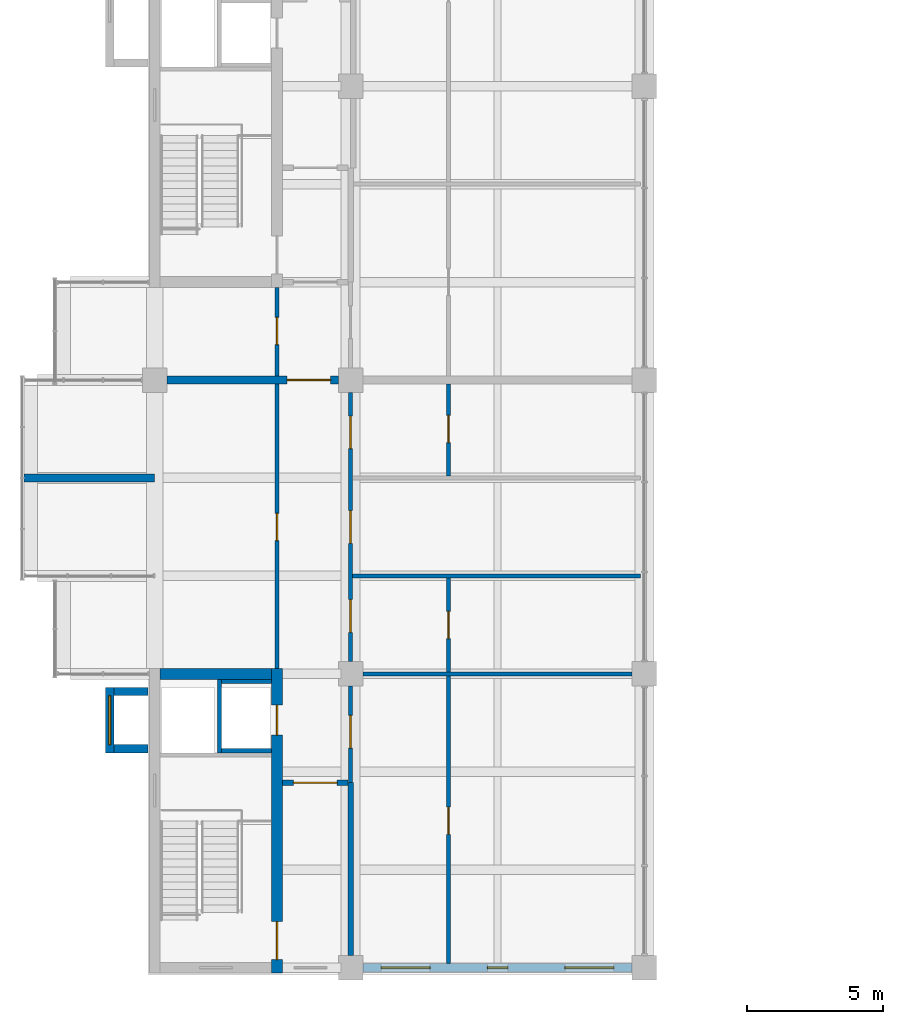
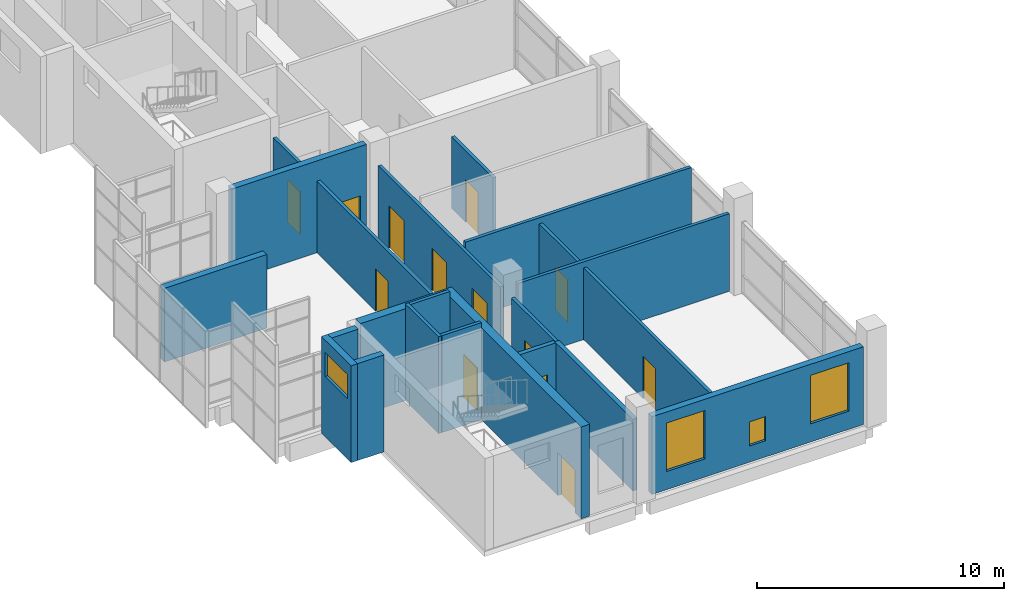
# One storey, part 15 of 23: 22 walls, 13 doors, 4 windows, 17 openings.
"""IFC4 building model written with IfcOpenShell, lengths in metres."""

from ifc_helpers import new_model, si_unit, direction, frame, frame_2d, origin, place, context, subcontext, project, spatial, rectangle, extrude, material, layer, layer_set, type_object, element, fill, save


model = new_model("IFC4")

# Units and contexts
model_context = context("Model", 3, precision=1e-05, world=origin(), true_north=direction((0.0, 1.0)))
body_context = subcontext(model_context, "Body", "Model", "MODEL_VIEW")
ifc_project = project(units=[si_unit("LENGTHUNIT", "METRE"), si_unit("AREAUNIT", "SQUARE_METRE"), si_unit("VOLUMEUNIT", "CUBIC_METRE"), si_unit("PLANEANGLEUNIT", "RADIAN"), si_unit("MASSUNIT", "GRAM", prefix="KILO")], contexts=[model_context])

# Site, building, storey
site_placement = place(None, origin())
site = spatial("IfcSite", under=ifc_project, at=site_placement, CompositionType="ELEMENT")
building_placement = place(site_placement, origin())
building = spatial("IfcBuilding", under=site, at=building_placement, Name="Basin Gate Institute", CompositionType="ELEMENT")
storey_placement = place(building_placement, frame((0.0, 0.0, 46.199951171875)))
storey = spatial("IfcBuildingStorey", under=building, at=storey_placement, Name="L09", CompositionType="ELEMENT", Elevation=46.199951171875)

# Wall
ifc_material_1 = material(Name="Aluminium-faced insulated panel wall", Category="aluminium")
ifc_layer_1 = layer(ifc_material_1, 0.300048828125)
ifc_layer_set_1 = layer_set([ifc_layer_1], Name="Capsule side wall EW2 EI 120")
wall_type_1 = type_object("IfcWallType", Name="Capsule side wall EW2 EI 120", PredefinedType="STANDARD", material=ifc_layer_set_1)
wall_1_placement = place(storey_placement, frame((56.39990234375, 53.10009765625, 0.0), z_axis=(0.0, 0.0, 1.0), x_axis=(1.0, 0.0, 0.0)))
element("IfcWall", 1, at=wall_1_placement, inside=storey, type_object=wall_type_1, material=ifc_layer_set_1, Name="Capsule side wall W wing L09 line 6", PredefinedType="STANDARD", context=body_context, shape_type="SweptSolid", body=[
    extrude(rectangle(XDim=4.800048828125, YDim=0.300048828125, at=frame_2d((2.39990234375, 0.0))), origin(), (0.0, 0.0, 1.0), 3.650146484375),
])

# Wall, opening, door
ifc_material_2 = material(Name="Fire-rated masonry", Category="masonry")
ifc_layer_2 = layer(ifc_material_2, 0.199951171875)
ifc_layer_set_2 = layer_set([ifc_layer_2], Name="Enclosure wall PW2 200 EI 60")
wall_type_2 = type_object("IfcWallType", Name="Enclosure wall PW2 200 EI 60", PredefinedType="PARTITIONING", material=ifc_layer_set_2)
wall_2_placement = place(storey_placement, frame((65.89990234375, 41.89990234375, 0.0), z_axis=(0.0, 0.0, 1.0), x_axis=(1.0, 0.0, 0.0)))
wall_2 = element("IfcWall", 2, at=wall_2_placement, inside=storey, type_object=wall_type_2, material=ifc_layer_set_2, Name="Smoke lobby enclosure wall PW2 L09", PredefinedType="PARTITIONING", context=body_context, shape_type="SweptSolid", body=[
    extrude(rectangle(XDim=2.400146484375, YDim=0.199951171875, at=frame_2d((1.2001953125, 0.0))), origin(), (0.0, 0.0, 1.0), 3.550048828125),
])
opening_1_placement = place(wall_2_placement, frame((0.39990234375, 0.0, 0.0)))
opening_1 = element("IfcOpeningElement", 3, at=opening_1_placement, cuts=wall_2, Name="Opening DR434", PredefinedType="OPENING", context=body_context, shape_type="SweptSolid", body=[
    extrude(rectangle(XDim=1.60009765625, YDim=2.10009765625, at=frame_2d((0.800048828125, 1.050048828125))), frame((0.0, 0.10986328125, 0.0), z_axis=(0.0, -1.0, 0.0), x_axis=(1.0, 0.0, 0.0)), (0.0, 0.0, 1.0), 0.219970703125),
])
ifc_material_3 = material(Name="Steel fire door", Category="steel")
door_type_1 = type_object("IfcDoorType", Name="FD60 Smoke lobby door pair D8", OperationType="DOUBLE_DOOR_SINGLE_SWING", PredefinedType="DOOR", material=ifc_material_3)
door_1_placement = place(opening_1_placement, frame((1.60009765625, 0.0, 0.0), z_axis=(0.0, 0.0, 1.0), x_axis=(-1.0, 0.0, 0.0)))
door_1 = element("IfcDoor", 4, at=door_1_placement, inside=storey, type_object=door_type_1, material=ifc_material_3, Name="Smoke lobby door SS1 L09", OperationType="DOUBLE_DOOR_SINGLE_SWING", OverallHeight=2.10009765625, OverallWidth=1.60009765625, PredefinedType="DOOR", context=body_context, shape_type="SweptSolid", body=[
    extrude(rectangle(XDim=1.60009765625, YDim=2.10009765625, at=frame_2d((0.800048828125, 1.050048828125))), frame((0.0, 0.02490234375, 0.0), z_axis=(0.0, -1.0, 0.0), x_axis=(1.0, 0.0, 0.0)), (0.0, 0.0, 1.0), 0.050048828125),
])
fill(opening_1, door_1)

# Wall
wall_3_placement = place(storey_placement, frame((68.39990234375, 35.550048828125, 0.0), z_axis=(0.0, 0.0, 1.0), x_axis=(0.0, 1.0, 0.0)))
element("IfcWall", 5, at=wall_3_placement, inside=storey, type_object=wall_type_2, material=ifc_layer_set_2, Name="Smoke lobby enclosure wall PW2 L09", PredefinedType="PARTITIONING", context=body_context, shape_type="SweptSolid", body=[
    extrude(rectangle(XDim=6.349853515625, YDim=0.199951171875, at=frame_2d((3.1748046875, 0.0))), origin(), (0.0, 0.0, 1.0), 3.550048828125),
])

# Wall, openings, windows
ifc_material_4 = material(Name="Aluminium-faced insulated panel wall", Category="aluminium")
ifc_layer_3 = layer(ifc_material_4, 0.300048828125)
ifc_layer_set_3 = layer_set([ifc_layer_3], Name="External wall EW1 EI 120")
wall_type_3 = type_object("IfcWallType", Name="External wall EW1 EI 120", PredefinedType="STANDARD", material=ifc_layer_set_3)
wall_4_placement = place(storey_placement, frame((68.85009765625, 35.10009765625, 0.0), z_axis=(0.0, 0.0, 1.0), x_axis=(1.0, 0.0, 0.0)))
wall_4 = element("IfcWall", 6, at=wall_4_placement, inside=storey, type_object=wall_type_3, material=ifc_layer_set_3, Name="External end wall W wing south L09 2", PredefinedType="STANDARD", context=body_context, shape_type="SweptSolid", body=[
    extrude(rectangle(XDim=9.89990234375, YDim=0.300048828125, at=frame_2d((4.949951171875, 0.0))), origin(), (0.0, 0.0, 1.0), 3.85009765625),
])
opening_2_placement = place(wall_4_placement, frame((0.675048828125, 0.0, 0.89990234375)))
opening_2 = element("IfcOpeningElement", 7, at=opening_2_placement, cuts=wall_4, Name="Opening WN1", PredefinedType="OPENING", context=body_context, shape_type="SweptSolid", body=[
    extrude(rectangle(XDim=1.800048828125, YDim=2.39990234375, at=frame_2d((0.89990234375, 1.199951171875))), frame((0.0, 0.16015625, 0.0), z_axis=(0.0, -1.0, 0.0), x_axis=(1.0, 0.0, 0.0)), (0.0, 0.0, 1.0), 0.320068359375),
])
opening_3_placement = place(wall_4_placement, frame((4.574951171875, 0.0, 0.800048828125)))
opening_3 = element("IfcOpeningElement", 8, at=opening_3_placement, cuts=wall_4, Name="Opening WN3", PredefinedType="OPENING", context=body_context, shape_type="SweptSolid", body=[
    extrude(rectangle(XDim=0.75, YDim=1.199951171875, at=frame_2d((0.375, 0.60009765625))), frame((0.0, 0.16015625, 0.0), z_axis=(0.0, -1.0, 0.0), x_axis=(1.0, 0.0, 0.0)), (0.0, 0.0, 1.0), 0.320068359375),
])
opening_4_placement = place(wall_4_placement, frame((7.425048828125, 0.0, 0.89990234375)))
opening_4 = element("IfcOpeningElement", 9, at=opening_4_placement, cuts=wall_4, Name="Opening WN1", PredefinedType="OPENING", context=body_context, shape_type="SweptSolid", body=[
    extrude(rectangle(XDim=1.800048828125, YDim=2.39990234375, at=frame_2d((0.89990234375, 1.199951171875))), frame((0.0, 0.16015625, 0.0), z_axis=(0.0, -1.0, 0.0), x_axis=(1.0, 0.0, 0.0)), (0.0, 0.0, 1.0), 0.320068359375),
])
ifc_material_5 = material(Name="Aluminium-framed double glazing", Category="aluminium")
window_type_1 = type_object("IfcWindowType", Name="Emergency entry panel WN3", PartitioningType="SINGLE_PANEL", PredefinedType="WINDOW", material=ifc_material_5)
window_1_placement = place(opening_3_placement, origin())
window_1 = element("IfcWindow", 10, at=window_1_placement, inside=storey, type_object=window_type_1, material=ifc_material_5, Name="Emergency entry panel W wing end S L09 bay 2", OverallHeight=1.199951171875, OverallWidth=0.75, PartitioningType="SINGLE_PANEL", PredefinedType="WINDOW", context=body_context, shape_type="SweptSolid", body=[
    extrude(rectangle(XDim=0.75, YDim=1.199951171875, at=frame_2d((0.375, 0.60009765625))), frame((0.0, 0.030029296875, 0.0), z_axis=(0.0, -1.0, 0.0), x_axis=(1.0, 0.0, 0.0)), (0.0, 0.0, 1.0), 0.06005859375),
])
fill(opening_3, window_1)
ifc_material_6 = material(Name="Aluminium-framed double glazing", Category="aluminium")
window_type_2 = type_object("IfcWindowType", Name="Facade window WN1", PartitioningType="SINGLE_PANEL", PredefinedType="WINDOW", material=ifc_material_6)
window_2_placement = place(opening_2_placement, origin())
window_2 = element("IfcWindow", 11, at=window_2_placement, inside=storey, type_object=window_type_2, material=ifc_material_6, Name="Facade window W wing end S L09 bay 1", OverallHeight=2.39990234375, OverallWidth=1.800048828125, PartitioningType="SINGLE_PANEL", PredefinedType="WINDOW", context=body_context, shape_type="SweptSolid", body=[
    extrude(rectangle(XDim=1.800048828125, YDim=2.39990234375, at=frame_2d((0.89990234375, 1.199951171875))), frame((0.0, 0.030029296875, 0.0), z_axis=(0.0, -1.0, 0.0), x_axis=(1.0, 0.0, 0.0)), (0.0, 0.0, 1.0), 0.06005859375),
])
fill(opening_2, window_2)
window_3_placement = place(opening_4_placement, origin())
window_3 = element("IfcWindow", 12, at=window_3_placement, inside=storey, type_object=window_type_2, material=ifc_material_6, Name="Facade window W wing end S L09 bay 3", OverallHeight=2.39990234375, OverallWidth=1.800048828125, PartitioningType="SINGLE_PANEL", PredefinedType="WINDOW", context=body_context, shape_type="SweptSolid", body=[
    extrude(rectangle(XDim=1.800048828125, YDim=2.39990234375, at=frame_2d((0.89990234375, 1.199951171875))), frame((0.0, 0.030029296875, 0.0), z_axis=(0.0, -1.0, 0.0), x_axis=(1.0, 0.0, 0.0)), (0.0, 0.0, 1.0), 0.06005859375),
])
fill(opening_4, window_3)

# Wall, opening, door
ifc_material_7 = material(Name="Gypsum board on steel stud", Category="steel")
ifc_layer_4 = layer(ifc_material_7, 0.14990234375)
ifc_layer_set_4 = layer_set([ifc_layer_4], Name="Gypsum board on steel stud")
wall_type_4 = type_object("IfcWallType", Name="Partition PW1 150 EI 60", PredefinedType="PARTITIONING", material=ifc_layer_set_4)
wall_5_placement = place(storey_placement, frame((65.699951171875, 46.10009765625, 0.0), z_axis=(0.0, 0.0, 1.0), x_axis=(0.0, 1.0, 0.0)))
wall_5 = element("IfcWall", 13, at=wall_5_placement, inside=storey, type_object=wall_type_4, material=ifc_layer_set_4, Name="Corridor wall PW1 L09", PredefinedType="PARTITIONING", context=body_context, shape_type="SweptSolid", body=[
    extrude(rectangle(XDim=10.449951171875, YDim=0.14990234375, at=frame_2d((5.22509765625, 0.0))), origin(), (0.0, 0.0, 1.0), 3.550048828125),
])
opening_5_placement = place(wall_5_placement, frame((4.699951171875, 0.0, 0.0)))
opening_5 = element("IfcOpeningElement", 14, at=opening_5_placement, cuts=wall_5, Name="Opening DR429", PredefinedType="OPENING", context=body_context, shape_type="SweptSolid", body=[
    extrude(rectangle(XDim=1.0, YDim=2.10009765625, at=frame_2d((0.5, 1.050048828125))), frame((0.0, 0.0849609375, 0.0), z_axis=(0.0, -1.0, 0.0), x_axis=(1.0, 0.0, 0.0)), (0.0, 0.0, 1.0), 0.169921875),
])
ifc_material_8 = material(Name="Timber fire door", Category="wood")
door_type_2 = type_object("IfcDoorType", Name="FD30 Office door D1", OperationType="NOTDEFINED", PredefinedType="DOOR", material=ifc_material_8)
door_2_placement = place(opening_5_placement, origin())
door_2 = element("IfcDoor", 15, at=door_2_placement, inside=storey, type_object=door_type_2, material=ifc_material_8, Name="Door to Library Carrel Room 0901 L09", OperationType="SINGLE_SWING_LEFT", OverallHeight=2.10009765625, OverallWidth=1.0, PredefinedType="DOOR", context=body_context, shape_type="SweptSolid", body=[
    extrude(rectangle(XDim=1.0, YDim=2.10009765625, at=frame_2d((0.5, 1.050048828125))), frame((0.0, 0.02490234375, 0.0), z_axis=(0.0, -1.0, 0.0), x_axis=(1.0, 0.0, 0.0)), (0.0, 0.0, 1.0), 0.050048828125),
])
fill(opening_5, door_2)

wall_6_placement = place(storey_placement, frame((65.699951171875, 56.85009765625, 0.0), z_axis=(0.0, 0.0, 1.0), x_axis=(0.0, 1.0, 0.0)))
wall_6 = element("IfcWall", 16, at=wall_6_placement, inside=storey, type_object=wall_type_4, material=ifc_layer_set_4, Name="Corridor wall PW1 L09", PredefinedType="PARTITIONING", context=body_context, shape_type="SweptSolid", body=[
    extrude(rectangle(XDim=3.25, YDim=0.14990234375, at=frame_2d((1.625, 0.0))), origin(), (0.0, 0.0, 1.0), 3.550048828125),
])
opening_6_placement = place(wall_6_placement, frame((1.14990234375, 0.0, 0.0)))
opening_6 = element("IfcOpeningElement", 17, at=opening_6_placement, cuts=wall_6, Name="Opening DR431", PredefinedType="OPENING", context=body_context, shape_type="SweptSolid", body=[
    extrude(rectangle(XDim=1.0, YDim=2.10009765625, at=frame_2d((0.5, 1.050048828125))), frame((0.0, 0.0849609375, 0.0), z_axis=(0.0, -1.0, 0.0), x_axis=(1.0, 0.0, 0.0)), (0.0, 0.0, 1.0), 0.169921875),
])
door_3_placement = place(opening_6_placement, origin())
door_3 = element("IfcDoor", 18, at=door_3_placement, inside=storey, type_object=door_type_2, material=ifc_material_8, Name="Door to Meeting Room 0902 L09", OperationType="SINGLE_SWING_RIGHT", OverallHeight=2.10009765625, OverallWidth=1.0, PredefinedType="DOOR", context=body_context, shape_type="SweptSolid", body=[
    extrude(rectangle(XDim=1.0, YDim=2.10009765625, at=frame_2d((0.5, 1.050048828125))), frame((0.0, 0.02490234375, 0.0), z_axis=(0.0, -1.0, 0.0), x_axis=(1.0, 0.0, 0.0)), (0.0, 0.0, 1.0), 0.050048828125),
])
fill(opening_6, door_3)

wall_7_placement = place(storey_placement, frame((68.39990234375, 41.89990234375, 0.0), z_axis=(0.0, 0.0, 1.0), x_axis=(0.0, 1.0, 0.0)))
wall_7 = element("IfcWall", 19, at=wall_7_placement, inside=storey, type_object=wall_type_4, material=ifc_layer_set_4, Name="Laboratory corridor wall PW1 L09", PredefinedType="PARTITIONING", context=body_context, shape_type="SweptSolid", body=[
    extrude(rectangle(XDim=3.550048828125, YDim=0.14990234375, at=frame_2d((1.77490234375, 0.0))), origin(), (0.0, 0.0, 1.0), 3.550048828125),
])
opening_7_placement = place(wall_7_placement, frame((1.27490234375, 0.0, 0.0)))
opening_7 = element("IfcOpeningElement", 20, at=opening_7_placement, cuts=wall_7, Name="Opening DR419", PredefinedType="OPENING", context=body_context, shape_type="SweptSolid", body=[
    extrude(rectangle(XDim=1.199951171875, YDim=2.10009765625, at=frame_2d((0.60009765625, 1.050048828125))), frame((0.0, 0.0849609375, 0.0), z_axis=(0.0, -1.0, 0.0), x_axis=(1.0, 0.0, 0.0)), (0.0, 0.0, 1.0), 0.169921875),
])
ifc_material_9 = material(Name="Timber fire door", Category="wood")
door_type_3 = type_object("IfcDoorType", Name="FD30 Laboratory door D2", OperationType="DOUBLE_DOOR_SINGLE_SWING", PredefinedType="DOOR", material=ifc_material_9)
door_4_placement = place(opening_7_placement, frame((1.199951171875, 0.0, 0.0), z_axis=(0.0, 0.0, 1.0), x_axis=(-1.0, 0.0, 0.0)))
door_4 = element("IfcDoor", 21, at=door_4_placement, inside=storey, type_object=door_type_3, material=ifc_material_9, Name="Door to Gowning Airlock 0915 L09", OperationType="DOUBLE_DOOR_SINGLE_SWING", OverallHeight=2.10009765625, OverallWidth=1.199951171875, PredefinedType="DOOR", context=body_context, shape_type="SweptSolid", body=[
    extrude(rectangle(XDim=1.199951171875, YDim=2.10009765625, at=frame_2d((0.60009765625, 1.050048828125))), frame((0.0, 0.02490234375, 0.0), z_axis=(0.0, -1.0, 0.0), x_axis=(1.0, 0.0, 0.0)), (0.0, 0.0, 1.0), 0.050048828125),
])
fill(opening_7, door_4)

# Wall, openings, doors
wall_8_placement = place(storey_placement, frame((68.39990234375, 46.35009765625, 0.0), z_axis=(0.0, 0.0, 1.0), x_axis=(0.0, 1.0, 0.0)))
wall_8 = element("IfcWall", 22, at=wall_8_placement, inside=storey, type_object=wall_type_4, material=ifc_layer_set_4, Name="Laboratory corridor wall PW1 L09", PredefinedType="PARTITIONING", context=body_context, shape_type="SweptSolid", body=[
    extrude(rectangle(XDim=9.89990234375, YDim=0.14990234375, at=frame_2d((4.949951171875, 0.0))), origin(), (0.0, 0.0, 1.0), 3.550048828125),
])
opening_8_placement = place(wall_8_placement, frame((1.074951171875, 0.0, 0.0)))
opening_8 = element("IfcOpeningElement", 23, at=opening_8_placement, cuts=wall_8, Name="Opening DR420", PredefinedType="OPENING", context=body_context, shape_type="SweptSolid", body=[
    extrude(rectangle(XDim=1.199951171875, YDim=2.10009765625, at=frame_2d((0.60009765625, 1.050048828125))), frame((0.0, 0.0849609375, 0.0), z_axis=(0.0, -1.0, 0.0), x_axis=(1.0, 0.0, 0.0)), (0.0, 0.0, 1.0), 0.169921875),
])
opening_9_placement = place(wall_8_placement, frame((7.824951171875, 0.0, 0.0)))
opening_9 = element("IfcOpeningElement", 24, at=opening_9_placement, cuts=wall_8, Name="Opening DR421", PredefinedType="OPENING", context=body_context, shape_type="SweptSolid", body=[
    extrude(rectangle(XDim=1.199951171875, YDim=2.10009765625, at=frame_2d((0.60009765625, 1.050048828125))), frame((0.0, 0.0849609375, 0.0), z_axis=(0.0, -1.0, 0.0), x_axis=(1.0, 0.0, 0.0)), (0.0, 0.0, 1.0), 0.169921875),
])
opening_10_placement = place(wall_8_placement, frame((4.35009765625, 0.0, 0.0)))
opening_10 = element("IfcOpeningElement", 25, at=opening_10_placement, cuts=wall_8, Name="Opening DR427", PredefinedType="OPENING", context=body_context, shape_type="SweptSolid", body=[
    extrude(rectangle(XDim=1.199951171875, YDim=2.10009765625, at=frame_2d((0.60009765625, 1.050048828125))), frame((0.0, 0.0849609375, 0.0), z_axis=(0.0, -1.0, 0.0), x_axis=(1.0, 0.0, 0.0)), (0.0, 0.0, 1.0), 0.169921875),
])
door_5_placement = place(opening_8_placement, frame((1.199951171875, 0.0, 0.0), z_axis=(0.0, 0.0, 1.0), x_axis=(-1.0, 0.0, 0.0)))
door_5 = element("IfcDoor", 26, at=door_5_placement, inside=storey, type_object=door_type_3, material=ifc_material_9, Name="Door to Gowning Airlock 0917 L09", OperationType="DOUBLE_DOOR_SINGLE_SWING", OverallHeight=2.10009765625, OverallWidth=1.199951171875, PredefinedType="DOOR", context=body_context, shape_type="SweptSolid", body=[
    extrude(rectangle(XDim=1.199951171875, YDim=2.10009765625, at=frame_2d((0.60009765625, 1.050048828125))), frame((0.0, 0.02490234375, 0.0), z_axis=(0.0, -1.0, 0.0), x_axis=(1.0, 0.0, 0.0)), (0.0, 0.0, 1.0), 0.050048828125),
])
fill(opening_8, door_5)
door_6_placement = place(opening_9_placement, frame((1.199951171875, 0.0, 0.0), z_axis=(0.0, 0.0, 1.0), x_axis=(-1.0, 0.0, 0.0)))
door_6 = element("IfcDoor", 27, at=door_6_placement, inside=storey, type_object=door_type_3, material=ifc_material_9, Name="Door to Gowning Airlock 0920 L09", OperationType="DOUBLE_DOOR_SINGLE_SWING", OverallHeight=2.10009765625, OverallWidth=1.199951171875, PredefinedType="DOOR", context=body_context, shape_type="SweptSolid", body=[
    extrude(rectangle(XDim=1.199951171875, YDim=2.10009765625, at=frame_2d((0.60009765625, 1.050048828125))), frame((0.0, 0.02490234375, 0.0), z_axis=(0.0, -1.0, 0.0), x_axis=(1.0, 0.0, 0.0)), (0.0, 0.0, 1.0), 0.050048828125),
])
fill(opening_9, door_6)
door_7_placement = place(opening_10_placement, frame((1.199951171875, 0.0, 0.0), z_axis=(0.0, 0.0, 1.0), x_axis=(-1.0, 0.0, 0.0)))
door_7 = element("IfcDoor", 28, at=door_7_placement, inside=storey, type_object=door_type_3, material=ifc_material_9, Name="Door to Instrument Room 0919 L09", OperationType="DOUBLE_DOOR_SINGLE_SWING", OverallHeight=2.10009765625, OverallWidth=1.199951171875, PredefinedType="DOOR", context=body_context, shape_type="SweptSolid", body=[
    extrude(rectangle(XDim=1.199951171875, YDim=2.10009765625, at=frame_2d((0.60009765625, 1.050048828125))), frame((0.0, 0.02490234375, 0.0), z_axis=(0.0, -1.0, 0.0), x_axis=(1.0, 0.0, 0.0)), (0.0, 0.0, 1.0), 0.050048828125),
])
fill(opening_10, door_7)

# Wall, opening, door
wall_9_placement = place(storey_placement, frame((72.0, 35.25, 0.0), z_axis=(0.0, 0.0, 1.0), x_axis=(0.0, 1.0, 0.0)))
wall_9 = element("IfcWall", 29, at=wall_9_placement, inside=storey, type_object=wall_type_4, material=ifc_layer_set_4, Name="Clean room wall PW1 L09", PredefinedType="PARTITIONING", context=body_context, shape_type="SweptSolid", body=[
    extrude(rectangle(XDim=10.574951171875, YDim=0.14990234375, at=frame_2d((5.28759765625, 0.0))), origin(), (0.0, 0.0, 1.0), 3.550048828125),
])
opening_11_placement = place(wall_9_placement, frame((4.75, 0.0, 0.0)))
opening_11 = element("IfcOpeningElement", 30, at=opening_11_placement, cuts=wall_9, Name="Opening DR413", PredefinedType="OPENING", context=body_context, shape_type="SweptSolid", body=[
    extrude(rectangle(XDim=1.0, YDim=2.10009765625, at=frame_2d((0.5, 1.050048828125))), frame((0.0, 0.0849609375, 0.0), z_axis=(0.0, -1.0, 0.0), x_axis=(1.0, 0.0, 0.0)), (0.0, 0.0, 1.0), 0.169921875),
])
ifc_material_10 = material(Name="Steel fire door", Category="steel")
door_type_4 = type_object("IfcDoorType", Name="FD30 Airlock door D5", OperationType="NOTDEFINED", PredefinedType="DOOR", material=ifc_material_10)
door_8_placement = place(opening_11_placement, frame((1.0, 0.0, 0.0), z_axis=(0.0, 0.0, 1.0), x_axis=(-1.0, 0.0, 0.0)))
door_8 = element("IfcDoor", 31, at=door_8_placement, inside=storey, type_object=door_type_4, material=ifc_material_10, Name="Clean room entry door Clean Room ISO 7 0915 L09", OperationType="SINGLE_SWING_RIGHT", OverallHeight=2.10009765625, OverallWidth=1.0, PredefinedType="DOOR", context=body_context, shape_type="SweptSolid", body=[
    extrude(rectangle(XDim=1.0, YDim=2.10009765625, at=frame_2d((0.5, 1.050048828125))), frame((0.0, 0.02490234375, 0.0), z_axis=(0.0, -1.0, 0.0), x_axis=(1.0, 0.0, 0.0)), (0.0, 0.0, 1.0), 0.050048828125),
])
fill(opening_11, door_8)

wall_10_placement = place(storey_placement, frame((72.0, 45.97509765625, 0.0), z_axis=(0.0, 0.0, 1.0), x_axis=(0.0, 1.0, 0.0)))
wall_10 = element("IfcWall", 32, at=wall_10_placement, inside=storey, type_object=wall_type_4, material=ifc_layer_set_4, Name="Clean room wall PW1 L09", PredefinedType="PARTITIONING", context=body_context, shape_type="SweptSolid", body=[
    extrude(rectangle(XDim=3.449951171875, YDim=0.14990234375, at=frame_2d((1.72509765625, 0.0))), origin(), (0.0, 0.0, 1.0), 3.550048828125),
])
opening_12_placement = place(wall_10_placement, frame((1.22509765625, 0.0, 0.0)))
opening_12 = element("IfcOpeningElement", 33, at=opening_12_placement, cuts=wall_10, Name="Opening DR409", PredefinedType="OPENING", context=body_context, shape_type="SweptSolid", body=[
    extrude(rectangle(XDim=1.0, YDim=2.10009765625, at=frame_2d((0.5, 1.050048828125))), frame((0.0, 0.0849609375, 0.0), z_axis=(0.0, -1.0, 0.0), x_axis=(1.0, 0.0, 0.0)), (0.0, 0.0, 1.0), 0.169921875),
])
door_9_placement = place(opening_12_placement, frame((1.0, 0.0, 0.0), z_axis=(0.0, 0.0, 1.0), x_axis=(-1.0, 0.0, 0.0)))
door_9 = element("IfcDoor", 34, at=door_9_placement, inside=storey, type_object=door_type_4, material=ifc_material_10, Name="Clean room entry door Clean Room ISO 6 0917 L09", OperationType="SINGLE_SWING_LEFT", OverallHeight=2.10009765625, OverallWidth=1.0, PredefinedType="DOOR", context=body_context, shape_type="SweptSolid", body=[
    extrude(rectangle(XDim=1.0, YDim=2.10009765625, at=frame_2d((0.5, 1.050048828125))), frame((0.0, 0.02490234375, 0.0), z_axis=(0.0, -1.0, 0.0), x_axis=(1.0, 0.0, 0.0)), (0.0, 0.0, 1.0), 0.050048828125),
])
fill(opening_12, door_9)

wall_11_placement = place(storey_placement, frame((72.0, 53.175048828125, 0.0), z_axis=(0.0, 0.0, 1.0), x_axis=(0.0, 1.0, 0.0)))
wall_11 = element("IfcWall", 35, at=wall_11_placement, inside=storey, type_object=wall_type_4, material=ifc_layer_set_4, Name="Clean room wall PW1 L09", PredefinedType="PARTITIONING", context=body_context, shape_type="SweptSolid", body=[
    extrude(rectangle(XDim=3.375, YDim=0.14990234375, at=frame_2d((1.6875, 0.0))), origin(), (0.0, 0.0, 1.0), 3.550048828125),
])
opening_13_placement = place(wall_11_placement, frame((1.22509765625, 0.0, 0.0)))
opening_13 = element("IfcOpeningElement", 36, at=opening_13_placement, cuts=wall_11, Name="Opening DR410", PredefinedType="OPENING", context=body_context, shape_type="SweptSolid", body=[
    extrude(rectangle(XDim=1.0, YDim=2.10009765625, at=frame_2d((0.5, 1.050048828125))), frame((0.0, 0.0849609375, 0.0), z_axis=(0.0, -1.0, 0.0), x_axis=(1.0, 0.0, 0.0)), (0.0, 0.0, 1.0), 0.169921875),
])
door_10_placement = place(opening_13_placement, frame((1.0, 0.0, 0.0), z_axis=(0.0, 0.0, 1.0), x_axis=(-1.0, 0.0, 0.0)))
door_10 = element("IfcDoor", 37, at=door_10_placement, inside=storey, type_object=door_type_4, material=ifc_material_10, Name="Clean room entry door Clean Room ISO 6 0920 L09", OperationType="SINGLE_SWING_LEFT", OverallHeight=2.10009765625, OverallWidth=1.0, PredefinedType="DOOR", context=body_context, shape_type="SweptSolid", body=[
    extrude(rectangle(XDim=1.0, YDim=2.10009765625, at=frame_2d((0.5, 1.050048828125))), frame((0.0, 0.02490234375, 0.0), z_axis=(0.0, -1.0, 0.0), x_axis=(1.0, 0.0, 0.0)), (0.0, 0.0, 1.0), 0.050048828125),
])
fill(opening_13, door_10)

# Walls
wall_12_placement = place(storey_placement, frame((68.85009765625, 45.89990234375, 0.0), z_axis=(0.0, 0.0, 1.0), x_axis=(1.0, 0.0, 0.0)))
element("IfcWall", 38, at=wall_12_placement, inside=storey, type_object=wall_type_4, material=ifc_layer_set_4, Name="Clean room wall PW1 L09", PredefinedType="PARTITIONING", context=body_context, shape_type="SweptSolid", body=[
    extrude(rectangle(XDim=9.89990234375, YDim=0.14990234375, at=frame_2d((4.949951171875, 0.0))), origin(), (0.0, 0.0, 1.0), 3.85009765625),
])
wall_13_placement = place(storey_placement, frame((68.47509765625, 49.5, 0.0), z_axis=(0.0, 0.0, 1.0), x_axis=(1.0, 0.0, 0.0)))
element("IfcWall", 39, at=wall_13_placement, inside=storey, type_object=wall_type_4, material=ifc_layer_set_4, Name="Clean room wall PW1 L09", PredefinedType="PARTITIONING", context=body_context, shape_type="SweptSolid", body=[
    extrude(rectangle(XDim=10.574951171875, YDim=0.14990234375, at=frame_2d((5.28759765625, 0.0))), origin(), (0.0, 0.0, 1.0), 3.85009765625),
])
ifc_material_11 = material(Name="Concrete 40 MPa", Category="concrete")
ifc_layer_5 = layer(ifc_material_11, 0.14990234375)
ifc_layer_set_5 = layer_set([ifc_layer_5], Name="Concrete 40 MPa")
wall_type_5 = type_object("IfcWallType", Name="Wall LS1 lift shaft enclosure R120", PredefinedType="SOLIDWALL", material=ifc_layer_set_5)
wall_14_placement = place(storey_placement, frame((63.574951171875, 43.0, 0.0), z_axis=(0.0, 0.0, 1.0), x_axis=(0.0, 1.0, 0.0)))
element("IfcWall", 40, at=wall_14_placement, inside=storey, type_object=wall_type_5, material=ifc_layer_set_5, Name="Lift shaft enclosure LP1 L09 UL", PredefinedType="SOLIDWALL", context=body_context, shape_type="SweptSolid", body=[
    extrude(rectangle(XDim=2.699951171875, YDim=0.14990234375, at=frame_2d((1.35009765625, 0.0))), origin(), (0.0, 0.0, 1.0), 4.800048828125),
])
for number, where, z_axis, x_axis, name in (
    (41, (63.64990234375, 43.074951171875, 0.0), (0.0, 0.0, 1.0), (1.0, 0.0, 0.0), "Lift shaft enclosure LP1 L09 RL"),
    (42, (63.64990234375, 45.625, 0.0), (0.0, 0.0, 1.0), (1.0, 0.0, 0.0), "Lift shaft enclosure LP1 L09 RH"),
):
    element("IfcWall", number, at=place(storey_placement, frame(where, z_axis=z_axis, x_axis=x_axis)), inside=storey, type_object=wall_type_5, material=ifc_layer_set_5, Name=name, PredefinedType="SOLIDWALL", context=body_context, shape_type="SweptSolid", body=[
        extrude(rectangle(XDim=1.85009765625, YDim=0.14990234375, at=frame_2d((0.925048828125, 0.0))), origin(), (0.0, 0.0, 1.0), 4.800048828125),
    ])

# Wall, opening, window
ifc_material_12 = material(Name="Concrete 50 MPa", Category="concrete")
ifc_layer_6 = layer(ifc_material_12, 0.300048828125)
ifc_layer_set_6 = layer_set([ifc_layer_6], Name="Concrete 50 MPa")
wall_type_6 = type_object("IfcWallType", Name="Wall SK1 R120", PredefinedType="SHEAR", material=ifc_layer_set_6)
wall_15_placement = place(storey_placement, frame((59.550048828125, 43.0, 0.0), z_axis=(0.0, 0.0, 1.0), x_axis=(0.0, 1.0, 0.0)))
wall_15 = element("IfcWall", 43, at=wall_15_placement, inside=storey, type_object=wall_type_6, material=ifc_layer_set_6, Name="Spine riser stack wall SK1 WS F L09", PredefinedType="SHEAR", context=body_context, shape_type="SweptSolid", body=[
    extrude(rectangle(XDim=2.39990234375, YDim=0.300048828125, at=frame_2d((1.199951171875, 0.0))), origin(), (0.0, 0.0, 1.0), 4.800048828125),
])
opening_14_placement = place(wall_15_placement, frame((0.300048828125, 0.0, 3.0)))
opening_14 = element("IfcOpeningElement", 44, at=opening_14_placement, cuts=wall_15, Name="Opening WL2", PredefinedType="OPENING", context=body_context, shape_type="SweptSolid", body=[
    extrude(rectangle(XDim=1.800048828125, YDim=1.199951171875, at=frame_2d((0.89990234375, 0.60009765625))), frame((0.0, 0.16015625, 0.0), z_axis=(0.0, -1.0, 0.0), x_axis=(1.0, 0.0, 0.0)), (0.0, 0.0, 1.0), 0.320068359375),
])
ifc_material_13 = material(Name="Aluminium louvre blades with fire damper", Category="aluminium")
window_type_3 = type_object("IfcWindowType", Name="Riser louvre EI 120 WL2", PartitioningType="SINGLE_PANEL", PredefinedType="WINDOW", material=ifc_material_13)
window_4_placement = place(opening_14_placement, origin())
window_4 = element("IfcWindow", 45, at=window_4_placement, inside=storey, type_object=window_type_3, material=ifc_material_13, Name="Riser louvre EI 120 WS riser 1 L09", OverallHeight=1.199951171875, OverallWidth=1.800048828125, PartitioningType="SINGLE_PANEL", PredefinedType="WINDOW", context=body_context, shape_type="SweptSolid", body=[
    extrude(rectangle(XDim=1.800048828125, YDim=1.199951171875, at=frame_2d((0.89990234375, 0.60009765625))), frame((0.0, 0.030029296875, 0.0), z_axis=(0.0, -1.0, 0.0), x_axis=(1.0, 0.0, 0.0)), (0.0, 0.0, 1.0), 0.06005859375),
])
fill(opening_14, window_4)

# Walls
for number, where, z_axis, x_axis, name in (
    (46, (60.949951171875, 43.14990234375, 0.0), (0.0, 0.0, 1.0), (-1.0, 0.0, 0.0), "Spine riser stack wall SK1 WS A L09"),
    (47, (60.949951171875, 45.25, 0.0), (0.0, 0.0, 1.0), (-1.0, 0.0, 0.0), "Spine riser stack wall SK1 WS B L09"),
):
    element("IfcWall", number, at=place(storey_placement, frame(where, z_axis=z_axis, x_axis=x_axis)), inside=storey, type_object=wall_type_6, material=ifc_layer_set_6, Name=name, PredefinedType="SHEAR", context=body_context, shape_type="SweptSolid", body=[
        extrude(rectangle(XDim=1.25, YDim=0.300048828125, at=frame_2d((0.625, 0.0))), origin(), (0.0, 0.0, 1.0), 4.800048828125),
    ])

# Wall, openings, doors
ifc_material_14 = material(Name="Concrete 50 MPa", Category="concrete")
ifc_layer_7 = layer(ifc_material_14, 0.39990234375)
ifc_layer_set_7 = layer_set([ifc_layer_7], Name="Concrete 50 MPa")
wall_type_7 = type_object("IfcWallType", Name="Wall SW2 R120", PredefinedType="SHEAR", material=ifc_layer_set_7)
wall_16_placement = place(storey_placement, frame((65.699951171875, 34.89990234375, 0.0), z_axis=(0.0, 0.0, 1.0), x_axis=(0.0, 1.0, 0.0)))
wall_16 = element("IfcWall", 48, at=wall_16_placement, inside=storey, type_object=wall_type_7, material=ifc_layer_set_7, Name="WALL/L09/WS/C", PredefinedType="SHEAR", context=body_context, shape_type="SweptSolid", body=[
    extrude(rectangle(XDim=11.2001953125, YDim=0.39990234375, at=frame_2d((5.60009765625, 0.0))), origin(), (0.0, 0.0, 1.0), 4.550048828125),
])
opening_15_placement = place(wall_16_placement, frame((0.5, 0.0, 0.0)))
opening_15 = element("IfcOpeningElement", 49, at=opening_15_placement, cuts=wall_16, Name="Opening DS055", PredefinedType="OPENING", context=body_context, shape_type="SweptSolid", body=[
    extrude(rectangle(XDim=1.39990234375, YDim=2.10009765625, at=frame_2d((0.699951171875, 1.050048828125))), frame((0.0, 0.2099609375, 0.0), z_axis=(0.0, -1.0, 0.0), x_axis=(1.0, 0.0, 0.0)), (0.0, 0.0, 1.0), 0.419921875),
])
opening_16_placement = place(wall_16_placement, frame((8.75, 0.0, 0.0)))
opening_16 = element("IfcOpeningElement", 50, at=opening_16_placement, cuts=wall_16, Name="Opening LD012", PredefinedType="OPENING", context=body_context, shape_type="SweptSolid", body=[
    extrude(rectangle(XDim=1.10009765625, YDim=2.10009765625, at=frame_2d((0.550048828125, 1.050048828125))), frame((0.0, 0.2099609375, 0.0), z_axis=(0.0, -1.0, 0.0), x_axis=(1.0, 0.0, 0.0)), (0.0, 0.0, 1.0), 0.419921875),
])
ifc_material_15 = material(Name="Steel fire door", Category="steel")
door_type_5 = type_object("IfcDoorType", Name="FD30 Stair enclosure door DS", OperationType="DOUBLE_DOOR_SINGLE_SWING", PredefinedType="DOOR", material=ifc_material_15)
door_11_placement = place(opening_15_placement, origin())
door_11 = element("IfcDoor", 51, at=door_11_placement, inside=storey, type_object=door_type_5, material=ifc_material_15, Name="Stair enclosure door ST-WS L09", OperationType="DOUBLE_DOOR_SINGLE_SWING", OverallHeight=2.10009765625, OverallWidth=1.39990234375, PredefinedType="DOOR", context=body_context, shape_type="SweptSolid", body=[
    extrude(rectangle(XDim=1.39990234375, YDim=2.10009765625, at=frame_2d((0.699951171875, 1.050048828125))), frame((0.0, 0.02490234375, 0.0), z_axis=(0.0, -1.0, 0.0), x_axis=(1.0, 0.0, 0.0)), (0.0, 0.0, 1.0), 0.050048828125),
])
fill(opening_15, door_11)
ifc_material_16 = material(Name="Stainless steel", Category="steel")
door_type_6 = type_object("IfcDoorType", Name="FD60 Lift landing door LD", OperationType="SLIDING_TO_LEFT", PredefinedType="DOOR", material=ifc_material_16)
door_12_placement = place(opening_16_placement, origin())
door_12 = element("IfcDoor", 52, at=door_12_placement, inside=storey, type_object=door_type_6, material=ifc_material_16, Name="Lift landing door LP1 L09", OperationType="SLIDING_TO_LEFT", OverallHeight=2.10009765625, OverallWidth=1.10009765625, PredefinedType="DOOR", context=body_context, shape_type="SweptSolid", body=[
    extrude(rectangle(XDim=1.10009765625, YDim=2.10009765625, at=frame_2d((0.550048828125, 1.050048828125))), frame((0.0, 0.02490234375, 0.0), z_axis=(0.0, -1.0, 0.0), x_axis=(1.0, 0.0, 0.0)), (0.0, 0.0, 1.0), 0.050048828125),
])
fill(opening_16, door_12)

# Wall
wall_17_placement = place(storey_placement, frame((61.39990234375, 45.89990234375, 0.0), z_axis=(0.0, 0.0, 1.0), x_axis=(1.0, 0.0, 0.0)))
element("IfcWall", 53, at=wall_17_placement, inside=storey, type_object=wall_type_7, material=ifc_layer_set_7, Name="WALL/L09/WS/N", PredefinedType="SHEAR", context=body_context, shape_type="SweptSolid", body=[
    extrude(rectangle(XDim=4.10009765625, YDim=0.39990234375, at=frame_2d((2.050048828125, 0.0))), origin(), (0.0, 0.0, 1.0), 4.550048828125),
])

# Wall, opening, door
ifc_material_17 = material(Name="Concrete 50 MPa", Category="concrete")
ifc_layer_8 = layer(ifc_material_17, 0.300048828125)
ifc_layer_set_8 = layer_set([ifc_layer_8], Name="Concrete 50 MPa")
wall_type_8 = type_object("IfcWallType", Name="Wall XW1 R120", PredefinedType="SHEAR", material=ifc_layer_set_8)
wall_18_placement = place(storey_placement, frame((61.64990234375, 56.699951171875, 0.0), z_axis=(0.0, 0.0, 1.0), x_axis=(1.0, 0.0, 0.0)))
wall_18 = element("IfcWall", 54, at=wall_18_placement, inside=storey, type_object=wall_type_8, material=ifc_layer_set_8, Name="WALL/L09/WXC/1", PredefinedType="SHEAR", context=body_context, shape_type="SweptSolid", body=[
    extrude(rectangle(XDim=6.300048828125, YDim=0.300048828125, at=frame_2d((3.14990234375, 0.0))), origin(), (0.0, 0.0, 1.0), 4.550048828125),
])
opening_17_placement = place(wall_18_placement, frame((4.41259765625, 0.0, 0.0)))
opening_17 = element("IfcOpeningElement", 55, at=opening_17_placement, cuts=wall_18, Name="Opening DR438", PredefinedType="OPENING", context=body_context, shape_type="SweptSolid", body=[
    extrude(rectangle(XDim=1.60009765625, YDim=2.10009765625, at=frame_2d((0.800048828125, 1.050048828125))), frame((0.0, 0.16015625, 0.0), z_axis=(0.0, -1.0, 0.0), x_axis=(1.0, 0.0, 0.0)), (0.0, 0.0, 1.0), 0.320068359375),
])
ifc_material_18 = material(Name="Steel fire door", Category="steel")
door_type_7 = type_object("IfcDoorType", Name="FD60 Compartment door pair D7", OperationType="DOUBLE_DOOR_SINGLE_SWING", PredefinedType="DOOR", material=ifc_material_18)
door_13_placement = place(opening_17_placement, origin())
door_13 = element("IfcDoor", 56, at=door_13_placement, inside=storey, type_object=door_type_7, material=ifc_material_18, Name="Compartment door pair L09 W1 L09", OperationType="DOUBLE_DOOR_SINGLE_SWING", OverallHeight=2.10009765625, OverallWidth=1.60009765625, PredefinedType="DOOR", context=body_context, shape_type="SweptSolid", body=[
    extrude(rectangle(XDim=1.60009765625, YDim=2.10009765625, at=frame_2d((0.800048828125, 1.050048828125))), frame((0.0, 0.02490234375, 0.0), z_axis=(0.0, -1.0, 0.0), x_axis=(1.0, 0.0, 0.0)), (0.0, 0.0, 1.0), 0.050048828125),
])
fill(opening_17, door_13)

save(model, "model.ifc")
